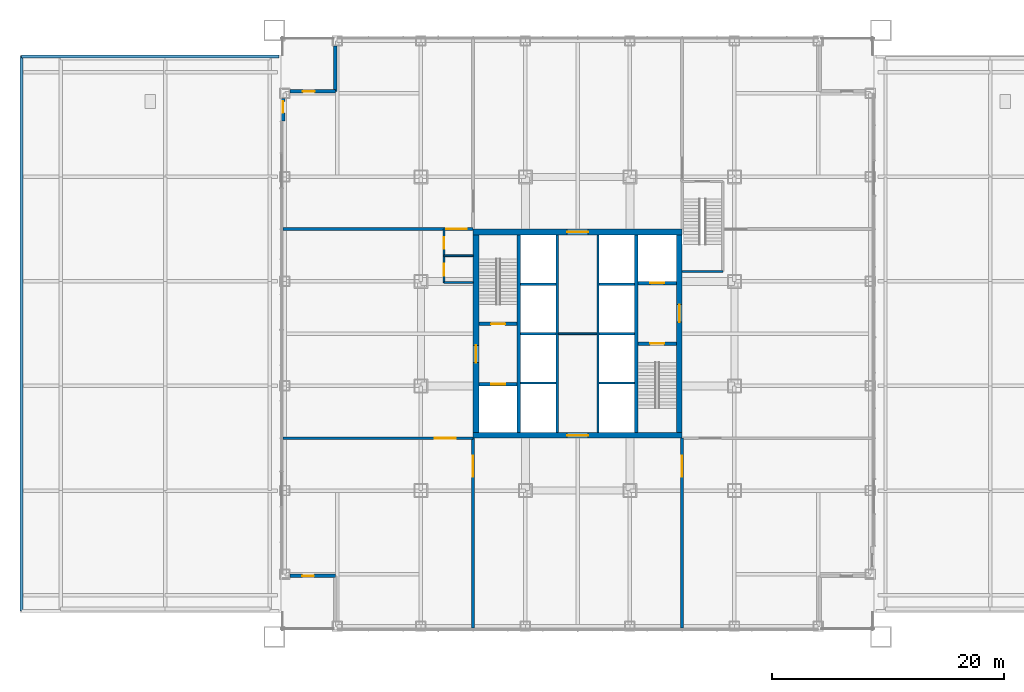
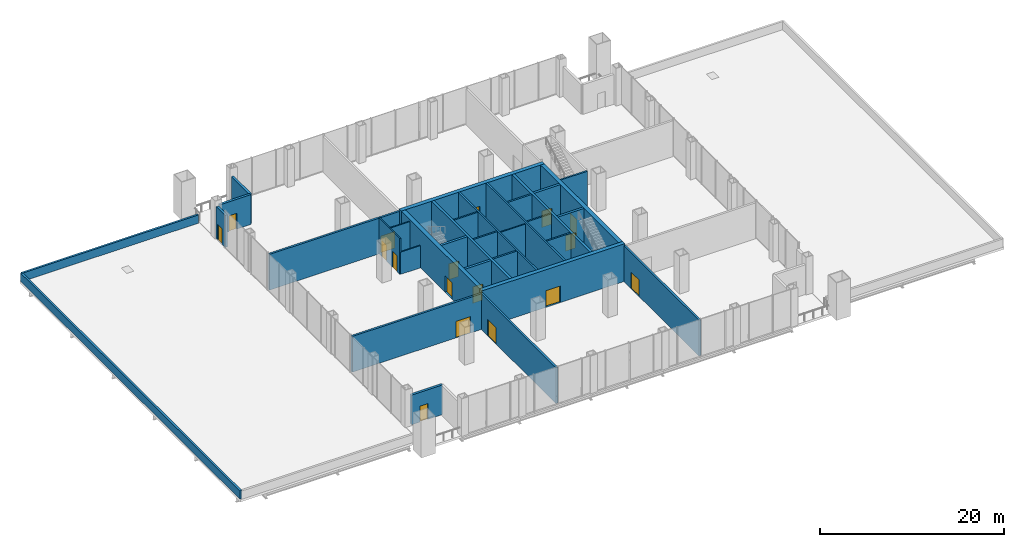
# One storey, part 14 of 16: 33 walls, 17 doors, 17 openings.
"""IFC4 building model written with IfcOpenShell, lengths in metres."""

from ifc_helpers import new_model, si_unit, direction, frame, frame_2d, origin, place, context, subcontext, project, spatial, rectangle, extrude, material, layer, layer_set, type_object, element, fill, save


model = new_model("IFC4")

# Units and contexts
model_context = context("Model", 3, precision=1e-05, world=origin(), true_north=direction((0.0, 1.0)))
body_context = subcontext(model_context, "Body", "Model", "MODEL_VIEW")
ifc_project = project(units=[si_unit("LENGTHUNIT", "METRE"), si_unit("AREAUNIT", "SQUARE_METRE"), si_unit("VOLUMEUNIT", "CUBIC_METRE"), si_unit("PLANEANGLEUNIT", "RADIAN"), si_unit("MASSUNIT", "GRAM", prefix="KILO")], contexts=[model_context])

# Site, building, storey
site_placement = place(None, origin())
site = spatial("IfcSite", under=ifc_project, at=site_placement, CompositionType="ELEMENT")
building_placement = place(site_placement, origin())
building = spatial("IfcBuilding", under=site, at=building_placement, Name="Malebo Sky Hospital", CompositionType="ELEMENT")
storey_placement = place(building_placement, frame((0.0, 0.0, 26.0)))
storey = spatial("IfcBuildingStorey", under=building, at=storey_placement, Name="L05", CompositionType="ELEMENT", Elevation=26.0)

# Walls
ifc_material_1 = material(Name="Concrete C80/95", Category="concrete")
ifc_layer_1 = layer(ifc_material_1, 0.199951171875)
ifc_layer_set_1 = layer_set([ifc_layer_1], Name="CORE INNER WALL 200")
wall_type_1 = type_object("IfcWallType", Name="CORE INNER WALL 200", PredefinedType="SHEAR", material=ifc_layer_set_1)
for number, where, z_axis, x_axis, name in (
    (1, (58.25, 53.5, 0.0), (0.0, 0.0, 1.0), (0.0, 1.0, 0.0), "Core wall LW L05"),
    (2, (61.75, 53.5, 0.0), (0.0, 0.0, 1.0), (0.0, 1.0, 0.0), "Core wall LE L05"),
):
    element("IfcWall", number, at=place(storey_placement, frame(where, z_axis=z_axis, x_axis=x_axis)), inside=storey, type_object=wall_type_1, Name=name, PredefinedType="SHEAR", context=body_context, shape_type="SweptSolid", body=[
        extrude(rectangle(XDim=17.0, YDim=0.199951171875, at=frame_2d((8.5, 0.0))), origin(), (0.0, 0.0, 1.0), 5.0),
    ])
for number, where, z_axis, x_axis, name in (
    (3, (55.10009765625, 57.75, 0.0), (0.0, 0.0, 1.0), (1.0, 0.0, 0.0), "Core wall SW0 L05"),
    (4, (61.85009765625, 57.75, 0.0), (0.0, 0.0, 1.0), (1.0, 0.0, 0.0), "Core wall SE0 L05"),
    (5, (55.10009765625, 62.0, 0.0), (0.0, 0.0, 1.0), (1.0, 0.0, 0.0), "Core wall SW1 L05"),
    (6, (61.85009765625, 62.0, 0.0), (0.0, 0.0, 1.0), (1.0, 0.0, 0.0), "Core wall SE1 L05"),
    (7, (55.10009765625, 66.25, 0.0), (0.0, 0.0, 1.0), (1.0, 0.0, 0.0), "Core wall SW2 L05"),
    (8, (61.85009765625, 66.25, 0.0), (0.0, 0.0, 1.0), (1.0, 0.0, 0.0), "Core wall SE2 L05"),
):
    element("IfcWall", number, at=place(storey_placement, frame(where, z_axis=z_axis, x_axis=x_axis)), inside=storey, type_object=wall_type_1, Name=name, PredefinedType="SHEAR", context=body_context, shape_type="SweptSolid", body=[
        extrude(rectangle(XDim=3.0498046875, YDim=0.199951171875, at=frame_2d((1.52490234375, 0.0))), origin(), (0.0, 0.0, 1.0), 5.0),
    ])
ifc_layer_2 = layer(ifc_material_1, 0.300048828125)
ifc_layer_set_2 = layer_set([ifc_layer_2], Name="CORE INNER WALL 300")
wall_type_2 = type_object("IfcWallType", Name="CORE INNER WALL 300", PredefinedType="SHEAR", material=ifc_layer_set_2)
for number, where, z_axis, x_axis, name in (
    (9, (54.949951171875, 53.5, 0.0), (0.0, 0.0, 1.0), (0.0, 1.0, 0.0), "Core wall XW L05"),
    (10, (65.050048828125, 53.5, 0.0), (0.0, 0.0, 1.0), (0.0, 1.0, 0.0), "Core wall XE L05"),
):
    element("IfcWall", number, at=place(storey_placement, frame(where, z_axis=z_axis, x_axis=x_axis)), inside=storey, type_object=wall_type_2, Name=name, PredefinedType="SHEAR", context=body_context, shape_type="SweptSolid", body=[
        extrude(rectangle(XDim=17.0, YDim=0.300048828125, at=frame_2d((8.5, 0.0))), origin(), (0.0, 0.0, 1.0), 5.0),
    ])

# Wall, opening, door
wall_1_placement = place(storey_placement, frame((51.5, 62.85009765625, 0.0), z_axis=(0.0, 0.0, 1.0), x_axis=(1.0, 0.0, 0.0)))
wall_1 = element("IfcWall", 11, at=wall_1_placement, inside=storey, type_object=wall_type_2, Name="Core wall W1 L05", PredefinedType="SHEAR", context=body_context, shape_type="SweptSolid", body=[
    extrude(rectangle(XDim=3.300048828125, YDim=0.300048828125, at=frame_2d((1.64990234375, 0.0))), origin(), (0.0, 0.0, 1.0), 5.0),
])
opening_1_placement = place(wall_1_placement, frame((1.050048828125, 0.0, 0.0)))
opening_1 = element("IfcOpeningElement", 12, at=opening_1_placement, cuts=wall_1, Name="Opening D08", PredefinedType="OPENING", context=body_context, shape_type="SweptSolid", body=[
    extrude(rectangle(XDim=1.199951171875, YDim=2.10009765625, at=frame_2d((0.60009765625, 1.050048828125))), frame((0.0, 0.159912109375, 0.0), z_axis=(0.0, -1.0, 0.0), x_axis=(1.0, 0.0, 0.0)), (0.0, 0.0, 1.0), 0.320068359375),
])
ifc_material_2 = material(Name="Hardwood-faced door leaf in steel frame", Category="steel")
door_type_1 = type_object("IfcDoorType", Name="STAIR DOOR 1200", OperationType="SINGLE_SWING_LEFT", PredefinedType="DOOR", material=ifc_material_2)
door_1_placement = place(opening_1_placement, origin())
door_1 = element("IfcDoor", 13, at=door_1_placement, inside=storey, type_object=door_type_1, Name="Stair S1 door", OperationType="SINGLE_SWING_LEFT", OverallHeight=2.10009765625, OverallWidth=1.199951171875, PredefinedType="DOOR", context=body_context, shape_type="SweptSolid", body=[
    extrude(rectangle(XDim=1.199951171875, YDim=2.10009765625, at=frame_2d((0.60009765625, 1.050048828125))), frame((0.0, 0.02490234375, 0.0), z_axis=(0.0, -1.0, 0.0), x_axis=(1.0, 0.0, 0.0)), (0.0, 0.0, 1.0), 0.050048828125),
])
fill(opening_1, door_1)

wall_2_placement = place(storey_placement, frame((51.5, 57.64990234375, 0.0), z_axis=(0.0, 0.0, 1.0), x_axis=(1.0, 0.0, 0.0)))
wall_2 = element("IfcWall", 14, at=wall_2_placement, inside=storey, type_object=wall_type_2, Name="Core wall W2 L05", PredefinedType="SHEAR", context=body_context, shape_type="SweptSolid", body=[
    extrude(rectangle(XDim=3.300048828125, YDim=0.300048828125, at=frame_2d((1.64990234375, 0.0))), origin(), (0.0, 0.0, 1.0), 5.0),
])
opening_2_placement = place(wall_2_placement, frame((1.050048828125, 0.0, 0.0)))
opening_2 = element("IfcOpeningElement", 15, at=opening_2_placement, cuts=wall_2, Name="Opening LD2", PredefinedType="OPENING", context=body_context, shape_type="SweptSolid", body=[
    extrude(rectangle(XDim=1.199951171875, YDim=2.199951171875, at=frame_2d((0.60009765625, 1.10009765625))), frame((0.0, 0.159912109375, 0.0), z_axis=(0.0, -1.0, 0.0), x_axis=(1.0, 0.0, 0.0)), (0.0, 0.0, 1.0), 0.320068359375),
])
ifc_material_3 = material(Name="Stainless steel sliding landing door", Category="steel")
door_type_2 = type_object("IfcDoorType", Name="FIRE-FIGHTING LIFT LANDING DOOR 1200", OperationType="SLIDING_TO_LEFT", PredefinedType="DOOR", material=ifc_material_3)
door_2_placement = place(opening_2_placement, origin())
door_2 = element("IfcDoor", 16, at=door_2_placement, inside=storey, type_object=door_type_2, Name="Lift FL1 landing door", OperationType="SLIDING_TO_LEFT", OverallHeight=2.199951171875, OverallWidth=1.199951171875, PredefinedType="DOOR", context=body_context, shape_type="SweptSolid", body=[
    extrude(rectangle(XDim=1.199951171875, YDim=2.199951171875, at=frame_2d((0.60009765625, 1.10009765625))), frame((0.0, 0.02490234375, 0.0), z_axis=(0.0, -1.0, 0.0), x_axis=(1.0, 0.0, 0.0)), (0.0, 0.0, 1.0), 0.050048828125),
])
fill(opening_2, door_2)

wall_3_placement = place(storey_placement, frame((65.199951171875, 61.14990234375, 0.0), z_axis=(0.0, 0.0, 1.0), x_axis=(1.0, 0.0, 0.0)))
wall_3 = element("IfcWall", 17, at=wall_3_placement, inside=storey, type_object=wall_type_2, Name="Core wall E1 L05", PredefinedType="SHEAR", context=body_context, shape_type="SweptSolid", body=[
    extrude(rectangle(XDim=3.300048828125, YDim=0.300048828125, at=frame_2d((1.64990234375, 0.0))), origin(), (0.0, 0.0, 1.0), 5.0),
])
opening_3_placement = place(wall_3_placement, frame((1.050048828125, 0.0, 0.0)))
opening_3 = element("IfcOpeningElement", 18, at=opening_3_placement, cuts=wall_3, Name="Opening D08", PredefinedType="OPENING", context=body_context, shape_type="SweptSolid", body=[
    extrude(rectangle(XDim=1.199951171875, YDim=2.10009765625, at=frame_2d((0.60009765625, 1.050048828125))), frame((0.0, 0.159912109375, 0.0), z_axis=(0.0, -1.0, 0.0), x_axis=(1.0, 0.0, 0.0)), (0.0, 0.0, 1.0), 0.320068359375),
])
door_3_placement = place(opening_3_placement, origin())
door_3 = element("IfcDoor", 19, at=door_3_placement, inside=storey, type_object=door_type_1, Name="Stair S2 door", OperationType="SINGLE_SWING_LEFT", OverallHeight=2.10009765625, OverallWidth=1.199951171875, PredefinedType="DOOR", context=body_context, shape_type="SweptSolid", body=[
    extrude(rectangle(XDim=1.199951171875, YDim=2.10009765625, at=frame_2d((0.60009765625, 1.050048828125))), frame((0.0, 0.02490234375, 0.0), z_axis=(0.0, -1.0, 0.0), x_axis=(1.0, 0.0, 0.0)), (0.0, 0.0, 1.0), 0.050048828125),
])
fill(opening_3, door_3)

wall_4_placement = place(storey_placement, frame((65.199951171875, 66.35009765625, 0.0), z_axis=(0.0, 0.0, 1.0), x_axis=(1.0, 0.0, 0.0)))
wall_4 = element("IfcWall", 20, at=wall_4_placement, inside=storey, type_object=wall_type_2, Name="Core wall E2 L05", PredefinedType="SHEAR", context=body_context, shape_type="SweptSolid", body=[
    extrude(rectangle(XDim=3.300048828125, YDim=0.300048828125, at=frame_2d((1.64990234375, 0.0))), origin(), (0.0, 0.0, 1.0), 5.0),
])
opening_4_placement = place(wall_4_placement, frame((1.050048828125, 0.0, 0.0)))
opening_4 = element("IfcOpeningElement", 21, at=opening_4_placement, cuts=wall_4, Name="Opening LD2", PredefinedType="OPENING", context=body_context, shape_type="SweptSolid", body=[
    extrude(rectangle(XDim=1.199951171875, YDim=2.199951171875, at=frame_2d((0.60009765625, 1.10009765625))), frame((0.0, 0.159912109375, 0.0), z_axis=(0.0, -1.0, 0.0), x_axis=(1.0, 0.0, 0.0)), (0.0, 0.0, 1.0), 0.320068359375),
])
door_4_placement = place(opening_4_placement, origin())
door_4 = element("IfcDoor", 22, at=door_4_placement, inside=storey, type_object=door_type_2, Name="Lift FL2 landing door", OperationType="SLIDING_TO_LEFT", OverallHeight=2.199951171875, OverallWidth=1.199951171875, PredefinedType="DOOR", context=body_context, shape_type="SweptSolid", body=[
    extrude(rectangle(XDim=1.199951171875, YDim=2.199951171875, at=frame_2d((0.60009765625, 1.10009765625))), frame((0.0, 0.02490234375, 0.0), z_axis=(0.0, -1.0, 0.0), x_axis=(1.0, 0.0, 0.0)), (0.0, 0.0, 1.0), 0.050048828125),
])
fill(opening_4, door_4)

ifc_layer_3 = layer(ifc_material_1, 0.5)
ifc_layer_set_3 = layer_set([ifc_layer_3], Name="CORE WALL 500")
wall_type_3 = type_object("IfcWallType", Name="CORE WALL 500", PredefinedType="SHEAR", material=ifc_layer_set_3)
wall_5_placement = place(storey_placement, frame((51.0, 70.75, 0.0), z_axis=(0.0, 0.0, 1.0), x_axis=(1.0, 0.0, 0.0)))
wall_5 = element("IfcWall", 23, at=wall_5_placement, inside=storey, type_object=wall_type_3, Name="Core wall N L05", PredefinedType="SHEAR", context=body_context, shape_type="SweptSolid", body=[
    extrude(rectangle(XDim=18.0, YDim=0.5, at=frame_2d((9.0, 0.0))), origin(), (0.0, 0.0, 1.0), 5.0),
])
opening_5_placement = place(wall_5_placement, frame((8.10009765625, 0.0, 0.0)))
opening_5 = element("IfcOpeningElement", 24, at=opening_5_placement, cuts=wall_5, Name="Opening D06", PredefinedType="OPENING", context=body_context, shape_type="SweptSolid", body=[
    extrude(rectangle(XDim=1.800048828125, YDim=2.199951171875, at=frame_2d((0.89990234375, 1.10009765625))), frame((0.0, 0.260009765625, 0.0), z_axis=(0.0, -1.0, 0.0), x_axis=(1.0, 0.0, 0.0)), (0.0, 0.0, 1.0), 0.52001953125),
])
door_type_3 = type_object("IfcDoorType", Name="LOBBY DOOR PAIR 1800", OperationType="DOUBLE_DOOR_SINGLE_SWING", PredefinedType="DOOR", material=ifc_material_2)
door_5_placement = place(opening_5_placement, origin())
door_5 = element("IfcDoor", 25, at=door_5_placement, inside=storey, type_object=door_type_3, Name="Controls plant room door", OperationType="DOUBLE_DOOR_SINGLE_SWING", OverallHeight=2.199951171875, OverallWidth=1.800048828125, PredefinedType="DOOR", context=body_context, shape_type="SweptSolid", body=[
    extrude(rectangle(XDim=1.800048828125, YDim=2.199951171875, at=frame_2d((0.89990234375, 1.10009765625))), frame((0.0, 0.02490234375, 0.0), z_axis=(0.0, -1.0, 0.0), x_axis=(1.0, 0.0, 0.0)), (0.0, 0.0, 1.0), 0.050048828125),
])
fill(opening_5, door_5)

wall_6_placement = place(storey_placement, frame((51.0, 53.25, 0.0), z_axis=(0.0, 0.0, 1.0), x_axis=(1.0, 0.0, 0.0)))
wall_6 = element("IfcWall", 26, at=wall_6_placement, inside=storey, type_object=wall_type_3, Name="Core wall S L05", PredefinedType="SHEAR", context=body_context, shape_type="SweptSolid", body=[
    extrude(rectangle(XDim=18.0, YDim=0.5, at=frame_2d((9.0, 0.0))), origin(), (0.0, 0.0, 1.0), 5.0),
])
opening_6_placement = place(wall_6_placement, frame((8.10009765625, 0.0, 0.0)))
opening_6 = element("IfcOpeningElement", 27, at=opening_6_placement, cuts=wall_6, Name="Opening D06", PredefinedType="OPENING", context=body_context, shape_type="SweptSolid", body=[
    extrude(rectangle(XDim=1.800048828125, YDim=2.199951171875, at=frame_2d((0.89990234375, 1.10009765625))), frame((0.0, 0.260009765625, 0.0), z_axis=(0.0, -1.0, 0.0), x_axis=(1.0, 0.0, 0.0)), (0.0, 0.0, 1.0), 0.52001953125),
])
door_6_placement = place(opening_6_placement, origin())
door_6 = element("IfcDoor", 28, at=door_6_placement, inside=storey, type_object=door_type_3, Name="Core plant room door", OperationType="DOUBLE_DOOR_SINGLE_SWING", OverallHeight=2.199951171875, OverallWidth=1.800048828125, PredefinedType="DOOR", context=body_context, shape_type="SweptSolid", body=[
    extrude(rectangle(XDim=1.800048828125, YDim=2.199951171875, at=frame_2d((0.89990234375, 1.10009765625))), frame((0.0, 0.02490234375, 0.0), z_axis=(0.0, -1.0, 0.0), x_axis=(1.0, 0.0, 0.0)), (0.0, 0.0, 1.0), 0.050048828125),
])
fill(opening_6, door_6)

wall_7_placement = place(storey_placement, frame((51.25, 53.5, 0.0), z_axis=(0.0, 0.0, 1.0), x_axis=(0.0, 1.0, 0.0)))
wall_7 = element("IfcWall", 29, at=wall_7_placement, inside=storey, type_object=wall_type_3, Name="Core wall W L05", PredefinedType="SHEAR", context=body_context, shape_type="SweptSolid", body=[
    extrude(rectangle(XDim=17.0, YDim=0.5, at=frame_2d((8.5, 0.0))), origin(), (0.0, 0.0, 1.0), 5.0),
])
opening_7_placement = place(wall_7_placement, frame((6.0, 0.0, 0.0)))
opening_7 = element("IfcOpeningElement", 30, at=opening_7_placement, cuts=wall_7, Name="Opening D07", PredefinedType="OPENING", context=body_context, shape_type="SweptSolid", body=[
    extrude(rectangle(XDim=1.5, YDim=2.199951171875, at=frame_2d((0.75, 1.10009765625))), frame((0.0, 0.260009765625, 0.0), z_axis=(0.0, -1.0, 0.0), x_axis=(1.0, 0.0, 0.0)), (0.0, 0.0, 1.0), 0.52001953125),
])
door_type_4 = type_object("IfcDoorType", Name="FIRE-FIGHTING LOBBY DOOR PAIR 1500", OperationType="DOUBLE_DOOR_SINGLE_SWING", PredefinedType="DOOR", material=ifc_material_2)
door_7_placement = place(opening_7_placement, origin())
door_7 = element("IfcDoor", 31, at=door_7_placement, inside=storey, type_object=door_type_4, Name="Fire-fighting lobby door west", OperationType="DOUBLE_DOOR_SINGLE_SWING", OverallHeight=2.199951171875, OverallWidth=1.5, PredefinedType="DOOR", context=body_context, shape_type="SweptSolid", body=[
    extrude(rectangle(XDim=1.5, YDim=2.199951171875, at=frame_2d((0.75, 1.10009765625))), frame((0.0, 0.02490234375, 0.0), z_axis=(0.0, -1.0, 0.0), x_axis=(1.0, 0.0, 0.0)), (0.0, 0.0, 1.0), 0.050048828125),
])
fill(opening_7, door_7)

wall_8_placement = place(storey_placement, frame((68.75, 53.5, 0.0), z_axis=(0.0, 0.0, 1.0), x_axis=(0.0, 1.0, 0.0)))
wall_8 = element("IfcWall", 32, at=wall_8_placement, inside=storey, type_object=wall_type_3, Name="Core wall E L05", PredefinedType="SHEAR", context=body_context, shape_type="SweptSolid", body=[
    extrude(rectangle(XDim=17.0, YDim=0.5, at=frame_2d((8.5, 0.0))), origin(), (0.0, 0.0, 1.0), 5.0),
])
opening_8_placement = place(wall_8_placement, frame((9.5, 0.0, 0.0)))
opening_8 = element("IfcOpeningElement", 33, at=opening_8_placement, cuts=wall_8, Name="Opening D07", PredefinedType="OPENING", context=body_context, shape_type="SweptSolid", body=[
    extrude(rectangle(XDim=1.5, YDim=2.199951171875, at=frame_2d((0.75, 1.10009765625))), frame((0.0, 0.260009765625, 0.0), z_axis=(0.0, -1.0, 0.0), x_axis=(1.0, 0.0, 0.0)), (0.0, 0.0, 1.0), 0.52001953125),
])
door_8_placement = place(opening_8_placement, origin())
door_8 = element("IfcDoor", 34, at=door_8_placement, inside=storey, type_object=door_type_4, Name="Fire-fighting lobby door east", OperationType="DOUBLE_DOOR_SINGLE_SWING", OverallHeight=2.199951171875, OverallWidth=1.5, PredefinedType="DOOR", context=body_context, shape_type="SweptSolid", body=[
    extrude(rectangle(XDim=1.5, YDim=2.199951171875, at=frame_2d((0.75, 1.10009765625))), frame((0.0, 0.02490234375, 0.0), z_axis=(0.0, -1.0, 0.0), x_axis=(1.0, 0.0, 0.0)), (0.0, 0.0, 1.0), 0.050048828125),
])
fill(opening_8, door_8)

ifc_material_4 = material(Name="Anodised aluminium rainscreen on steel framing", Category="steel")
ifc_layer_4 = layer(ifc_material_4, 0.300048828125)
ifc_layer_set_4 = layer_set([ifc_layer_4], Name="NOTCH RAINSCREEN WALL 300")
wall_type_4 = type_object("IfcWallType", Name="NOTCH RAINSCREEN WALL 300", PredefinedType="ELEMENTEDWALL", material=ifc_layer_set_4)
wall_9_placement = place(storey_placement, frame((34.64990234375, 80.300048828125, 0.0), z_axis=(0.0, 0.0, 1.0), x_axis=(0.0, 1.0, 0.0)))
wall_9 = element("IfcWall", 35, at=wall_9_placement, inside=storey, type_object=wall_type_4, Name="Rainscreen panel at maintenance door L05", PredefinedType="ELEMENTEDWALL", context=body_context, shape_type="SweptSolid", body=[
    extrude(rectangle(XDim=1.949951171875, YDim=0.300048828125, at=frame_2d((0.97509765625, 0.0))), origin(), (0.0, 0.0, 1.0), 4.25),
])
opening_9_placement = place(wall_9_placement, frame((0.699951171875, 0.0, 0.0)))
opening_9 = element("IfcOpeningElement", 36, at=opening_9_placement, cuts=wall_9, Name="Opening D30", PredefinedType="OPENING", context=body_context, shape_type="SweptSolid", body=[
    extrude(rectangle(XDim=1.0, YDim=2.10009765625, at=frame_2d((0.5, 1.050048828125))), frame((0.0, 0.159912109375, 0.0), z_axis=(0.0, -1.0, 0.0), x_axis=(1.0, 0.0, 0.0)), (0.0, 0.0, 1.0), 0.320068359375),
])
ifc_material_5 = material(Name="Galvanised steel weathertight door leaf in steel frame", Category="steel")
door_type_5 = type_object("IfcDoorType", Name="MAINTENANCE ACCESS DOOR 1000", OperationType="SINGLE_SWING_LEFT", PredefinedType="DOOR", material=ifc_material_5)
door_9_placement = place(opening_9_placement, frame((1.0, 0.0, 0.0), z_axis=(0.0, 0.0, 1.0), x_axis=(-1.0, 0.0, 0.0)))
door_9 = element("IfcDoor", 37, at=door_9_placement, inside=storey, type_object=door_type_5, Name="Maintenance access door to roof", OperationType="SINGLE_SWING_RIGHT", OverallHeight=2.10009765625, OverallWidth=1.0, PredefinedType="DOOR", context=body_context, shape_type="SweptSolid", body=[
    extrude(rectangle(XDim=1.0, YDim=2.10009765625, at=frame_2d((0.5, 1.050048828125))), frame((0.0, 0.02490234375, 0.0), z_axis=(0.0, -1.0, 0.0), x_axis=(1.0, 0.0, 0.0)), (0.0, 0.0, 1.0), 0.050048828125),
])
fill(opening_9, door_9)

wall_10_placement = place(storey_placement, frame((35.25, 82.85009765625, 0.0), z_axis=(0.0, 0.0, 1.0), x_axis=(1.0, 0.0, 0.0)))
wall_10 = element("IfcWall", 38, at=wall_10_placement, inside=storey, type_object=wall_type_4, Name="Notch rainscreen wall W1 L05", PredefinedType="ELEMENTEDWALL", context=body_context, shape_type="SweptSolid", body=[
    extrude(rectangle(XDim=3.89990234375, YDim=0.300048828125, at=frame_2d((1.949951171875, 0.0))), origin(), (0.0, 0.0, 1.0), 3.949951171875),
])
opening_10_placement = place(wall_10_placement, frame((1.10009765625, 0.0, 0.0)))
opening_10 = element("IfcOpeningElement", 39, at=opening_10_placement, cuts=wall_10, Name="Opening D30", PredefinedType="OPENING", context=body_context, shape_type="SweptSolid", body=[
    extrude(rectangle(XDim=1.0, YDim=2.10009765625, at=frame_2d((0.5, 1.050048828125))), frame((0.0, 0.159912109375, 0.0), z_axis=(0.0, -1.0, 0.0), x_axis=(1.0, 0.0, 0.0)), (0.0, 0.0, 1.0), 0.320068359375),
])
door_10_placement = place(opening_10_placement, frame((1.0, 0.0, 0.0), z_axis=(0.0, 0.0, 1.0), x_axis=(-1.0, 0.0, 0.0)))
door_10 = element("IfcDoor", 40, at=door_10_placement, inside=storey, type_object=door_type_5, Name="Maintenance access door to roof", OperationType="SINGLE_SWING_RIGHT", OverallHeight=2.10009765625, OverallWidth=1.0, PredefinedType="DOOR", context=body_context, shape_type="SweptSolid", body=[
    extrude(rectangle(XDim=1.0, YDim=2.10009765625, at=frame_2d((0.5, 1.050048828125))), frame((0.0, 0.02490234375, 0.0), z_axis=(0.0, -1.0, 0.0), x_axis=(1.0, 0.0, 0.0)), (0.0, 0.0, 1.0), 0.050048828125),
])
fill(opening_10, door_10)

# Wall
wall_11_placement = place(storey_placement, frame((39.14990234375, 82.85009765625, 0.0), z_axis=(0.0, 0.0, 1.0), x_axis=(0.0, 1.0, 0.0)))
element("IfcWall", 41, at=wall_11_placement, inside=storey, type_object=wall_type_4, Name="Notch rainscreen wall W2 L05", PredefinedType="ELEMENTEDWALL", context=body_context, shape_type="SweptSolid", body=[
    extrude(rectangle(XDim=3.89990234375, YDim=0.300048828125, at=frame_2d((1.949951171875, 0.0))), origin(), (0.0, 0.0, 1.0), 3.949951171875),
])

# Wall, opening, door
wall_12_placement = place(storey_placement, frame((39.14990234375, 41.14990234375, 0.0), z_axis=(0.0, 0.0, 1.0), x_axis=(-1.0, 0.0, 0.0)))
wall_12 = element("IfcWall", 42, at=wall_12_placement, inside=storey, type_object=wall_type_4, Name="Notch rainscreen wall S2 L05", PredefinedType="ELEMENTEDWALL", context=body_context, shape_type="SweptSolid", body=[
    extrude(rectangle(XDim=3.89990234375, YDim=0.300048828125, at=frame_2d((1.949951171875, 0.0))), origin(), (0.0, 0.0, 1.0), 3.949951171875),
])
opening_11_placement = place(wall_12_placement, frame((1.85009765625, 0.0, 0.0)))
opening_11 = element("IfcOpeningElement", 43, at=opening_11_placement, cuts=wall_12, Name="Opening D30", PredefinedType="OPENING", context=body_context, shape_type="SweptSolid", body=[
    extrude(rectangle(XDim=1.0, YDim=2.10009765625, at=frame_2d((0.5, 1.050048828125))), frame((0.0, 0.159912109375, 0.0), z_axis=(0.0, -1.0, 0.0), x_axis=(1.0, 0.0, 0.0)), (0.0, 0.0, 1.0), 0.320068359375),
])
door_11_placement = place(opening_11_placement, frame((1.0, 0.0, 0.0), z_axis=(0.0, 0.0, 1.0), x_axis=(-1.0, 0.0, 0.0)))
door_11 = element("IfcDoor", 44, at=door_11_placement, inside=storey, type_object=door_type_5, Name="Maintenance access door to roof", OperationType="SINGLE_SWING_RIGHT", OverallHeight=2.10009765625, OverallWidth=1.0, PredefinedType="DOOR", context=body_context, shape_type="SweptSolid", body=[
    extrude(rectangle(XDim=1.0, YDim=2.10009765625, at=frame_2d((0.5, 1.050048828125))), frame((0.0, 0.02490234375, 0.0), z_axis=(0.0, -1.0, 0.0), x_axis=(1.0, 0.0, 0.0)), (0.0, 0.0, 1.0), 0.050048828125),
])
fill(opening_11, door_11)

# Walls
ifc_material_6 = material(Name="Reinforced concrete upstand with aluminium coping", Category="concrete")
ifc_layer_5 = layer(ifc_material_6, 0.25)
ifc_layer_set_5 = layer_set([ifc_layer_5], Name="PARAPET 250")
wall_type_5 = type_object("IfcWallType", Name="PARAPET 250", PredefinedType="PARAPET", material=ifc_layer_set_5)
wall_13_placement = place(storey_placement, frame((12.125, 38.125, 0.0), z_axis=(0.0, 0.0, 1.0), x_axis=(0.0, 1.0, 0.0)))
element("IfcWall", 45, at=wall_13_placement, inside=storey, type_object=wall_type_5, Name="Podium roof parapet WW", PredefinedType="PARAPET", context=body_context, shape_type="SweptSolid", body=[
    extrude(rectangle(XDim=47.75, YDim=0.25, at=frame_2d((23.875, 0.0))), origin(), (0.0, 0.0, 1.0), 1.10009765625),
])
wall_14_placement = place(storey_placement, frame((12.125, 85.875, 0.0), z_axis=(0.0, 0.0, 1.0), x_axis=(1.0, 0.0, 0.0)))
element("IfcWall", 46, at=wall_14_placement, inside=storey, type_object=wall_type_5, Name="Podium roof parapet WN", PredefinedType="PARAPET", context=body_context, shape_type="SweptSolid", body=[
    extrude(rectangle(XDim=22.175048828125, YDim=0.25, at=frame_2d((11.08740234375, 0.0))), origin(), (0.0, 0.0, 1.0), 1.10009765625),
])

# Wall, openings, doors
ifc_material_7 = material(Name="Gypsum board on steel studs", Category="steel")
ifc_layer_6 = layer(ifc_material_7, 0.14990234375)
ifc_layer_set_6 = layer_set([ifc_layer_6], Name="PARTITION 150")
wall_type_6 = type_object("IfcWallType", Name="PARTITION 150", PredefinedType="PARTITIONING", material=ifc_layer_set_6)
wall_15_placement = place(storey_placement, frame((48.5, 66.39990234375, 0.0), z_axis=(0.0, 0.0, 1.0), x_axis=(0.0, 1.0, 0.0)))
wall_15 = element("IfcWall", 47, at=wall_15_placement, inside=storey, type_object=wall_type_6, Name="Partition 150 WCF", PredefinedType="PARTITIONING", context=body_context, shape_type="SweptSolid", body=[
    extrude(rectangle(XDim=4.60009765625, YDim=0.14990234375, at=frame_2d((2.300048828125, 0.0))), origin(), (0.0, 0.0, 1.0), 4.75),
])
opening_12_placement = place(wall_15_placement, frame((0.60009765625, 0.0, 0.0)))
opening_12 = element("IfcOpeningElement", 48, at=opening_12_placement, cuts=wall_15, Name="Opening D03", PredefinedType="OPENING", context=body_context, shape_type="SweptSolid", body=[
    extrude(rectangle(XDim=1.0, YDim=2.10009765625, at=frame_2d((0.5, 1.050048828125))), frame((0.0, 0.0849609375, 0.0), z_axis=(0.0, -1.0, 0.0), x_axis=(1.0, 0.0, 0.0)), (0.0, 0.0, 1.0), 0.169921875),
])
opening_13_placement = place(wall_15_placement, frame((2.89990234375, 0.0, 0.0)))
opening_13 = element("IfcOpeningElement", 49, at=opening_13_placement, cuts=wall_15, Name="Opening D03", PredefinedType="OPENING", context=body_context, shape_type="SweptSolid", body=[
    extrude(rectangle(XDim=1.0, YDim=2.10009765625, at=frame_2d((0.5, 1.050048828125))), frame((0.0, 0.0849609375, 0.0), z_axis=(0.0, -1.0, 0.0), x_axis=(1.0, 0.0, 0.0)), (0.0, 0.0, 1.0), 0.169921875),
])
door_type_6 = type_object("IfcDoorType", Name="ROOM DOOR 1000", OperationType="SINGLE_SWING_LEFT", PredefinedType="DOOR", material=ifc_material_2)
door_12_placement = place(opening_12_placement, origin())
door_12 = element("IfcDoor", 50, at=door_12_placement, inside=storey, type_object=door_type_6, Name="Staff WC door", OperationType="SINGLE_SWING_LEFT", OverallHeight=2.10009765625, OverallWidth=1.0, PredefinedType="DOOR", context=body_context, shape_type="SweptSolid", body=[
    extrude(rectangle(XDim=1.0, YDim=2.10009765625, at=frame_2d((0.5, 1.050048828125))), frame((0.0, 0.02490234375, 0.0), z_axis=(0.0, -1.0, 0.0), x_axis=(1.0, 0.0, 0.0)), (0.0, 0.0, 1.0), 0.050048828125),
])
fill(opening_12, door_12)
door_13_placement = place(opening_13_placement, origin())
door_13 = element("IfcDoor", 51, at=door_13_placement, inside=storey, type_object=door_type_6, Name="Accessible WC door", OperationType="SINGLE_SWING_LEFT", OverallHeight=2.10009765625, OverallWidth=1.0, PredefinedType="DOOR", context=body_context, shape_type="SweptSolid", body=[
    extrude(rectangle(XDim=1.0, YDim=2.10009765625, at=frame_2d((0.5, 1.050048828125))), frame((0.0, 0.02490234375, 0.0), z_axis=(0.0, -1.0, 0.0), x_axis=(1.0, 0.0, 0.0)), (0.0, 0.0, 1.0), 0.050048828125),
])
fill(opening_13, door_13)

# Walls
wall_16_placement = place(storey_placement, frame((51.0, 66.39990234375, 0.0), z_axis=(0.0, 0.0, 1.0), x_axis=(-1.0, 0.0, 0.0)))
element("IfcWall", 52, at=wall_16_placement, inside=storey, type_object=wall_type_6, Name="Partition 150 WCE", PredefinedType="PARTITIONING", context=body_context, shape_type="SweptSolid", body=[
    extrude(rectangle(XDim=2.5, YDim=0.14990234375, at=frame_2d((1.25, 0.0))), origin(), (0.0, 0.0, 1.0), 2.949951171875),
])
wall_17_placement = place(storey_placement, frame((51.0, 68.699951171875, 0.0), z_axis=(0.0, 0.0, 1.0), x_axis=(-1.0, 0.0, 0.0)))
element("IfcWall", 53, at=wall_17_placement, inside=storey, type_object=wall_type_6, Name="Partition 150 WCM", PredefinedType="PARTITIONING", context=body_context, shape_type="SweptSolid", body=[
    extrude(rectangle(XDim=2.5, YDim=0.14990234375, at=frame_2d((1.25, 0.0))), origin(), (0.0, 0.0, 1.0), 4.75),
])
wall_18_placement = place(storey_placement, frame((58.35009765625, 62.0, 0.0), z_axis=(0.0, 0.0, 1.0), x_axis=(1.0, 0.0, 0.0)))
element("IfcWall", 54, at=wall_18_placement, inside=storey, type_object=wall_type_6, Name="Partition 150 LB", PredefinedType="PARTITIONING", context=body_context, shape_type="SweptSolid", body=[
    extrude(rectangle(XDim=3.2998046875, YDim=0.14990234375, at=frame_2d((1.64990234375, 0.0))), origin(), (0.0, 0.0, 1.0), 4.75),
])

# Wall, opening, door
ifc_material_8 = material(Name="Concrete blockwork", Category="masonry")
ifc_layer_7 = layer(ifc_material_8, 0.25)
ifc_layer_set_7 = layer_set([ifc_layer_7], Name="PLANT ROOM WALL 250")
wall_type_7 = type_object("IfcWallType", Name="PLANT ROOM WALL 250", PredefinedType="SOLIDWALL", material=ifc_layer_set_7)
wall_19_placement = place(storey_placement, frame((51.0, 71.0, 0.0), z_axis=(0.0, 0.0, 1.0), x_axis=(-1.0, 0.0, 0.0)))
wall_19 = element("IfcWall", 55, at=wall_19_placement, inside=storey, type_object=wall_type_7, Name="Plant Room Wall 250 WP9", PredefinedType="SOLIDWALL", context=body_context, shape_type="SweptSolid", body=[
    extrude(rectangle(XDim=16.35009765625, YDim=0.25, at=frame_2d((8.175048828125, 0.0))), origin(), (0.0, 0.0, 1.0), 4.75),
])
opening_14_placement = place(wall_19_placement, frame((0.52490234375, 0.0, 0.0)))
opening_14 = element("IfcOpeningElement", 56, at=opening_14_placement, cuts=wall_19, Name="Opening D09", PredefinedType="OPENING", context=body_context, shape_type="SweptSolid", body=[
    extrude(rectangle(XDim=1.800048828125, YDim=2.199951171875, at=frame_2d((0.89990234375, 1.10009765625))), frame((0.0, 0.135009765625, 0.0), z_axis=(0.0, -1.0, 0.0), x_axis=(1.0, 0.0, 0.0)), (0.0, 0.0, 1.0), 0.27001953125),
])
door_type_7 = type_object("IfcDoorType", Name="PLANT ROOM DOOR PAIR 1800", OperationType="DOUBLE_DOOR_SINGLE_SWING", PredefinedType="DOOR", material=ifc_material_2)
door_14_placement = place(opening_14_placement, origin())
door_14 = element("IfcDoor", 57, at=door_14_placement, inside=storey, type_object=door_type_7, Name="Water tank room door", OperationType="DOUBLE_DOOR_SINGLE_SWING", OverallHeight=2.199951171875, OverallWidth=1.800048828125, PredefinedType="DOOR", context=body_context, shape_type="SweptSolid", body=[
    extrude(rectangle(XDim=1.800048828125, YDim=2.199951171875, at=frame_2d((0.89990234375, 1.10009765625))), frame((0.0, 0.02490234375, 0.0), z_axis=(0.0, -1.0, 0.0), x_axis=(1.0, 0.0, 0.0)), (0.0, 0.0, 1.0), 0.050048828125),
])
fill(opening_14, door_14)

wall_20_placement = place(storey_placement, frame((51.0, 53.0, 0.0), z_axis=(0.0, 0.0, 1.0), x_axis=(-1.0, 0.0, 0.0)))
wall_20 = element("IfcWall", 58, at=wall_20_placement, inside=storey, type_object=wall_type_7, Name="Plant Room Wall 250 WP8", PredefinedType="SOLIDWALL", context=body_context, shape_type="SweptSolid", body=[
    extrude(rectangle(XDim=16.35009765625, YDim=0.25, at=frame_2d((8.175048828125, 0.0))), origin(), (0.0, 0.0, 1.0), 4.75),
])
opening_15_placement = place(wall_20_placement, frame((1.5, 0.0, 0.0)))
opening_15 = element("IfcOpeningElement", 59, at=opening_15_placement, cuts=wall_20, Name="Opening D09", PredefinedType="OPENING", context=body_context, shape_type="SweptSolid", body=[
    extrude(rectangle(XDim=1.800048828125, YDim=2.199951171875, at=frame_2d((0.89990234375, 1.10009765625))), frame((0.0, 0.135009765625, 0.0), z_axis=(0.0, -1.0, 0.0), x_axis=(1.0, 0.0, 0.0)), (0.0, 0.0, 1.0), 0.27001953125),
])
door_15_placement = place(opening_15_placement, origin())
door_15 = element("IfcDoor", 60, at=door_15_placement, inside=storey, type_object=door_type_7, Name="Refuge area west door", OperationType="DOUBLE_DOOR_SINGLE_SWING", OverallHeight=2.199951171875, OverallWidth=1.800048828125, PredefinedType="DOOR", context=body_context, shape_type="SweptSolid", body=[
    extrude(rectangle(XDim=1.800048828125, YDim=2.199951171875, at=frame_2d((0.89990234375, 1.10009765625))), frame((0.0, 0.02490234375, 0.0), z_axis=(0.0, -1.0, 0.0), x_axis=(1.0, 0.0, 0.0)), (0.0, 0.0, 1.0), 0.050048828125),
])
fill(opening_15, door_15)

wall_21_placement = place(storey_placement, frame((51.0, 53.0, 0.0), z_axis=(0.0, 0.0, 1.0), x_axis=(0.0, -1.0, 0.0)))
wall_21 = element("IfcWall", 61, at=wall_21_placement, inside=storey, type_object=wall_type_7, Name="Plant Room Wall 250 SP9", PredefinedType="SOLIDWALL", context=body_context, shape_type="SweptSolid", body=[
    extrude(rectangle(XDim=16.35009765625, YDim=0.25, at=frame_2d((8.175048828125, 0.0))), origin(), (0.0, 0.0, 1.0), 4.75),
])
opening_16_placement = place(wall_21_placement, frame((1.5, 0.0, 0.0)))
opening_16 = element("IfcOpeningElement", 62, at=opening_16_placement, cuts=wall_21, Name="Opening D09", PredefinedType="OPENING", context=body_context, shape_type="SweptSolid", body=[
    extrude(rectangle(XDim=1.800048828125, YDim=2.199951171875, at=frame_2d((0.89990234375, 1.10009765625))), frame((0.0, 0.135009765625, 0.0), z_axis=(0.0, -1.0, 0.0), x_axis=(1.0, 0.0, 0.0)), (0.0, 0.0, 1.0), 0.27001953125),
])
door_16_placement = place(opening_16_placement, origin())
door_16 = element("IfcDoor", 63, at=door_16_placement, inside=storey, type_object=door_type_7, Name="Electrical switch room door", OperationType="DOUBLE_DOOR_SINGLE_SWING", OverallHeight=2.199951171875, OverallWidth=1.800048828125, PredefinedType="DOOR", context=body_context, shape_type="SweptSolid", body=[
    extrude(rectangle(XDim=1.800048828125, YDim=2.199951171875, at=frame_2d((0.89990234375, 1.10009765625))), frame((0.0, 0.02490234375, 0.0), z_axis=(0.0, -1.0, 0.0), x_axis=(1.0, 0.0, 0.0)), (0.0, 0.0, 1.0), 0.050048828125),
])
fill(opening_16, door_16)

wall_22_placement = place(storey_placement, frame((69.0, 53.0, 0.0), z_axis=(0.0, 0.0, 1.0), x_axis=(0.0, -1.0, 0.0)))
wall_22 = element("IfcWall", 64, at=wall_22_placement, inside=storey, type_object=wall_type_7, Name="Plant Room Wall 250 SP8", PredefinedType="SOLIDWALL", context=body_context, shape_type="SweptSolid", body=[
    extrude(rectangle(XDim=16.35009765625, YDim=0.25, at=frame_2d((8.175048828125, 0.0))), origin(), (0.0, 0.0, 1.0), 4.75),
])
opening_17_placement = place(wall_22_placement, frame((1.5, 0.0, 0.0)))
opening_17 = element("IfcOpeningElement", 65, at=opening_17_placement, cuts=wall_22, Name="Opening D09", PredefinedType="OPENING", context=body_context, shape_type="SweptSolid", body=[
    extrude(rectangle(XDim=1.800048828125, YDim=2.199951171875, at=frame_2d((0.89990234375, 1.10009765625))), frame((0.0, 0.135009765625, 0.0), z_axis=(0.0, -1.0, 0.0), x_axis=(1.0, 0.0, 0.0)), (0.0, 0.0, 1.0), 0.27001953125),
])
door_17_placement = place(opening_17_placement, origin())
door_17 = element("IfcDoor", 66, at=door_17_placement, inside=storey, type_object=door_type_7, Name="Chilled water plant room door", OperationType="DOUBLE_DOOR_SINGLE_SWING", OverallHeight=2.199951171875, OverallWidth=1.800048828125, PredefinedType="DOOR", context=body_context, shape_type="SweptSolid", body=[
    extrude(rectangle(XDim=1.800048828125, YDim=2.199951171875, at=frame_2d((0.89990234375, 1.10009765625))), frame((0.0, 0.02490234375, 0.0), z_axis=(0.0, -1.0, 0.0), x_axis=(1.0, 0.0, 0.0)), (0.0, 0.0, 1.0), 0.050048828125),
])
fill(opening_17, door_17)

# Wall
ifc_material_9 = material(Name="Concrete C40/50", Category="concrete")
ifc_layer_8 = layer(ifc_material_9, 0.199951171875)
ifc_layer_set_8 = layer_set([ifc_layer_8], Name="STAIR ENCLOSURE WALL 200")
wall_type_8 = type_object("IfcWallType", Name="STAIR ENCLOSURE WALL 200", PredefinedType="SOLIDWALL", material=ifc_layer_set_8)
wall_23_placement = place(storey_placement, frame((69.0, 67.35009765625, 0.0), z_axis=(0.0, 0.0, 1.0), x_axis=(1.0, 0.0, 0.0)))
element("IfcWall", 67, at=wall_23_placement, inside=storey, type_object=wall_type_8, Name="Stair Enclosure Wall 200 ST3S", PredefinedType="SOLIDWALL", context=body_context, shape_type="SweptSolid", body=[
    extrude(rectangle(XDim=3.5, YDim=0.199951171875, at=frame_2d((1.75, 0.0))), origin(), (0.0, 0.0, 1.0), 4.75),
])

save(model, "model.ifc")
